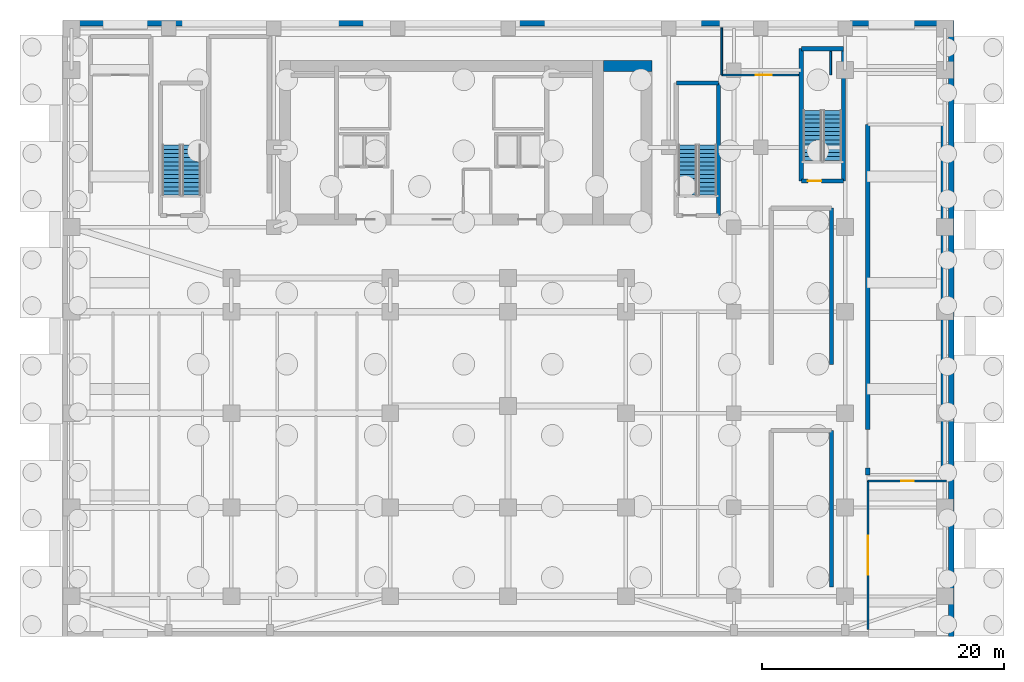
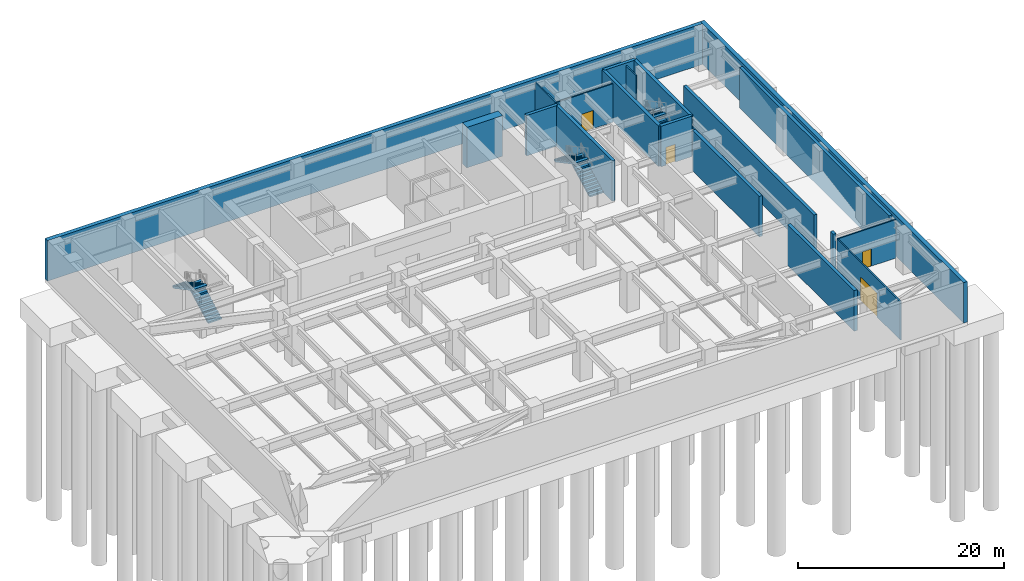
# One storey, part 6 of 9: 19 walls, 6 stair flights, 4 doors, 4 openings, 3 elements without a shape of their own.
"""IFC4 building model written with IfcOpenShell, lengths in metres."""

from ifc_helpers import new_model, si_unit, direction, frame, frame_2d, origin, place, context, subcontext, project, spatial, polyline, rectangle, outline, extrude, source, transform, mapped, material, layer, layer_set, type_object, type_shapes, element, fill, aggregate, save


model = new_model("IFC4")

# Units and contexts
model_context = context("Model", 3, precision=1e-05, world=origin(), true_north=direction((0.0, 1.0)))
body_context = subcontext(model_context, "Body", "Model", "MODEL_VIEW")
ifc_project = project(units=[si_unit("LENGTHUNIT", "METRE"), si_unit("AREAUNIT", "SQUARE_METRE"), si_unit("VOLUMEUNIT", "CUBIC_METRE"), si_unit("PLANEANGLEUNIT", "RADIAN"), si_unit("MASSUNIT", "GRAM", prefix="KILO")], contexts=[model_context])

# Site, building, storey
site_placement = place(None, origin())
site = spatial("IfcSite", under=ifc_project, at=site_placement, CompositionType="ELEMENT")
building_placement = place(site_placement, origin())
building = spatial("IfcBuilding", under=site, at=building_placement, Name="Tolvann Quenvar Hotel", CompositionType="ELEMENT")
storey_placement = place(building_placement, frame((0.0, 0.0, -14.39990234375)))
storey = spatial("IfcBuildingStorey", under=building, at=storey_placement, Name="B03", CompositionType="ELEMENT", Elevation=-14.39990234375)

# Walls
ifc_material_1 = material(Name="Concrete S80 (80 MPa)", Category="concrete")
ifc_layer_1 = layer(ifc_material_1, 0.89990234375)
ifc_layer_set_1 = layer_set([ifc_layer_1], Name="Concrete S80 (80 MPa)")
wall_type_1 = type_object("IfcWallType", Name="WALL_CORE_900", PredefinedType="SHEAR", material=ifc_layer_set_1)
wall_1_placement = place(storey_placement, frame((36.39990234375, 44.75, 0.0), z_axis=(0.0, 0.0, 1.0), x_axis=(1.0, 0.0, 0.0)))
element("IfcWall", 1, at=wall_1_placement, inside=storey, type_object=wall_type_1, Name="Core East Annex Shear Wall ANN-N (B03)", PredefinedType="SHEAR", context=body_context, shape_type="SweptSolid", body=[
    extrude(rectangle(XDim=4.0, YDim=0.89990234375, at=frame_2d((2.0, 0.0))), origin(), (0.0, 0.0, 1.0), 4.7998046875),
])
ifc_material_2 = material(Name="Concrete S65 (65 MPa)", Category="concrete")
ifc_layer_2 = layer(ifc_material_2, 0.35009765625)
ifc_layer_set_2 = layer_set([ifc_layer_2], Name="Concrete S65 (65 MPa)")
wall_type_2 = type_object("IfcWallType", Name="WALL_CORE_INT_350", PredefinedType="SHEAR", material=ifc_layer_set_2)
wall_2_placement = place(storey_placement, frame((45.925048828125, 32.375, 0.0), z_axis=(0.0, 0.0, 1.0), x_axis=(0.0, 1.0, 0.0)))
element("IfcWall", 2, at=wall_2_placement, inside=storey, type_object=wall_type_2, Name="Stairwell ST-B2 Structural Shaft Wall E (B03)", PredefinedType="SHEAR", context=body_context, shape_type="SweptSolid", body=[
    extrude(rectangle(XDim=10.949951171875, YDim=0.35009765625, at=frame_2d((5.47509765625, 0.0))), origin(), (0.0, 0.0, 1.0), 4.7998046875),
])
wall_3_placement = place(storey_placement, frame((45.925048828125, 43.324951171875, 0.0), z_axis=(0.0, 0.0, 1.0), x_axis=(-1.0, 0.0, 0.0)))
element("IfcWall", 3, at=wall_3_placement, inside=storey, type_object=wall_type_2, Name="Stairwell ST-B2 Structural Shaft Wall N (B03)", PredefinedType="SHEAR", context=body_context, shape_type="SweptSolid", body=[
    extrude(rectangle(XDim=3.5, YDim=0.35009765625, at=frame_2d((1.75, 0.0))), origin(), (0.0, 0.0, 1.0), 4.7998046875),
])

# Wall, opening, door
wall_4_placement = place(storey_placement, frame((52.77490234375, 35.22509765625, 0.0), z_axis=(0.0, 0.0, 1.0), x_axis=(1.0, 0.0, 0.0)))
wall_4 = element("IfcWall", 4, at=wall_4_placement, inside=storey, type_object=wall_type_2, Name="Stairwell ST-B3 Structural Shaft Wall S (B03)", PredefinedType="SHEAR", context=body_context, shape_type="SweptSolid", body=[
    extrude(rectangle(XDim=3.5, YDim=0.35009765625, at=frame_2d((1.75, 0.0))), origin(), (0.0, 0.0, 1.0), 4.7998046875),
])
opening_1_placement = place(wall_4_placement, frame((0.550048828125, 0.0, 0.0)))
opening_1 = element("IfcOpeningElement", 5, at=opening_1_placement, cuts=wall_4, Name="Opening FD-120", PredefinedType="OPENING", context=body_context, shape_type="SweptSolid", body=[
    extrude(rectangle(XDim=1.10009765625, YDim=2.1201171875, at=frame_2d((0.550048828125, 1.06005859375))), frame((0.0, 0.18505859375, 0.0), z_axis=(0.0, -1.0, 0.0), x_axis=(1.0, 0.0, 0.0)), (0.0, 0.0, 1.0), 0.3701171875),
])
ifc_material_3 = material(Name="Pressed galvanised steel fire-rated door set", Category="steel")
door_type_1 = type_object("IfcDoorType", Name="DOOR_FIRE_STAIR_1100", OperationType="NOTDEFINED", PredefinedType="DOOR", material=ifc_material_3)
shared_shape_1 = source(origin(), body_context, "Body", "SweptSolid", [
    extrude(rectangle(XDim=1.10009765625, YDim=2.1201171875, at=frame_2d((0.550048828125, 1.06005859375))), frame((0.0, 0.02490234375, 0.0), z_axis=(0.0, -1.0, 0.0), x_axis=(1.0, 0.0, 0.0)), (0.0, 0.0, 1.0), 0.050048828125),
])
type_shapes(door_type_1, [shared_shape_1])
door_1_placement = place(opening_1_placement, origin())
door_1 = element("IfcDoor", 6, at=door_1_placement, inside=storey, type_object=door_type_1, Name="Exit Stair ST-B3 Fire Door (B03)", OperationType="SINGLE_SWING_LEFT", OverallHeight=2.1201171875, OverallWidth=1.10009765625, PredefinedType="DOOR", context=body_context, shape_type="MappedRepresentation", body=[
    mapped(shared_shape_1, transform((0.0, 0.0, 0.0), x_axis=(1.0, 0.0, 0.0), y_axis=(0.0, 1.0, 0.0), z_axis=(0.0, 0.0, 1.0), scale=1.0)),
])
fill(opening_1, door_1)

# Walls
wall_5_placement = place(storey_placement, frame((56.27490234375, 35.22509765625, 0.0), z_axis=(0.0, 0.0, 1.0), x_axis=(0.0, 1.0, 0.0)))
element("IfcWall", 7, at=wall_5_placement, inside=storey, type_object=wall_type_2, Name="Stairwell ST-B3 Structural Shaft Wall E (B03)", PredefinedType="SHEAR", context=body_context, shape_type="SweptSolid", body=[
    extrude(rectangle(XDim=10.949951171875, YDim=0.35009765625, at=frame_2d((5.47509765625, 0.0))), origin(), (0.0, 0.0, 1.0), 4.7998046875),
])
wall_6_placement = place(storey_placement, frame((56.27490234375, 46.175048828125, 0.0), z_axis=(0.0, 0.0, 1.0), x_axis=(-1.0, 0.0, 0.0)))
element("IfcWall", 8, at=wall_6_placement, inside=storey, type_object=wall_type_2, Name="Stairwell ST-B3 Structural Shaft Wall N (B03)", PredefinedType="SHEAR", context=body_context, shape_type="SweptSolid", body=[
    extrude(rectangle(XDim=3.5, YDim=0.35009765625, at=frame_2d((1.75, 0.0))), origin(), (0.0, 0.0, 1.0), 4.7998046875),
])
wall_7_placement = place(storey_placement, frame((52.77490234375, 46.175048828125, 0.0), z_axis=(0.0, 0.0, 1.0), x_axis=(0.0, -1.0, 0.0)))
element("IfcWall", 9, at=wall_7_placement, inside=storey, type_object=wall_type_2, Name="Stairwell ST-B3 Structural Shaft Wall W (B03)", PredefinedType="SHEAR", context=body_context, shape_type="SweptSolid", body=[
    extrude(rectangle(XDim=10.949951171875, YDim=0.35009765625, at=frame_2d((5.47509765625, 0.0))), origin(), (0.0, 0.0, 1.0), 4.7998046875),
])
wall_8_placement = place(storey_placement, frame((55.27490234375, 1.625, 0.0), z_axis=(0.0, 0.0, 1.0), x_axis=(0.0, 1.0, 0.0)))
element("IfcWall", 10, at=wall_8_placement, inside=storey, type_object=wall_type_2, Name="Stairwell ST-P3 Structural Shaft Wall E (B03)", PredefinedType="SHEAR", context=body_context, shape_type="SweptSolid", body=[
    extrude(rectangle(XDim=12.949951171875, YDim=0.35009765625, at=frame_2d((6.47509765625, 0.0))), origin(), (0.0, 0.0, 1.0), 4.7998046875),
])
wall_9_placement = place(storey_placement, frame((55.27490234375, 20.02490234375, 0.0), z_axis=(0.0, 0.0, 1.0), x_axis=(0.0, 1.0, 0.0)))
element("IfcWall", 11, at=wall_9_placement, inside=storey, type_object=wall_type_2, Name="Stairwell ST-P4 Structural Shaft Wall E (B03)", PredefinedType="SHEAR", context=body_context, shape_type="SweptSolid", body=[
    extrude(rectangle(XDim=12.9501953125, YDim=0.35009765625, at=frame_2d((6.47509765625, 0.0))), origin(), (0.0, 0.0, 1.0), 4.7998046875),
])
wall_10_placement = place(storey_placement, frame((58.27490234375, 10.89990234375, 0.0), z_axis=(0.0, 0.0, 1.0), x_axis=(0.0, 1.0, 0.0)))
element("IfcWall", 12, at=wall_10_placement, inside=storey, type_object=wall_type_2, Name="Vehicle Ramp Structural Shaft Wall W1 (B03)", PredefinedType="SHEAR", context=body_context, shape_type="SweptSolid", body=[
    extrude(rectangle(XDim=0.550048828125, YDim=0.35009765625, at=frame_2d((0.27490234375, 0.0))), origin(), (0.0, 0.0, 1.0), 4.7998046875),
])
wall_11_placement = place(storey_placement, frame((58.27490234375, 14.64990234375, 0.0), z_axis=(0.0, 0.0, 1.0), x_axis=(0.0, 1.0, 0.0)))
element("IfcWall", 13, at=wall_11_placement, inside=storey, type_object=wall_type_2, Name="Vehicle Ramp Structural Shaft Wall W (B03)", PredefinedType="SHEAR", context=body_context, shape_type="SweptSolid", body=[
    extrude(rectangle(XDim=25.25, YDim=0.35009765625, at=frame_2d((12.625, 0.0))), origin(), (0.0, 0.0, 1.0), 4.7998046875),
])
wall_12_placement = place(storey_placement, frame((64.52490234375, 10.89990234375, 0.0), z_axis=(0.0, 0.0, 1.0), x_axis=(0.0, 1.0, 0.0)))
element("IfcWall", 14, at=wall_12_placement, inside=storey, type_object=wall_type_2, Name="Vehicle Ramp Structural Shaft Wall E (B03)", PredefinedType="SHEAR", context=body_context, shape_type="SweptSolid", body=[
    extrude(rectangle(XDim=29.0, YDim=0.35009765625, at=frame_2d((14.5, 0.0))), origin(), (0.0, 0.0, 1.0), 4.7998046875),
])

# Wall, opening, door
ifc_material_4 = material(Name="Acoustic twin-stud fire-rated gypsum plasterboard partition")
ifc_layer_3 = layer(ifc_material_4, 0.14990234375)
ifc_layer_set_3 = layer_set([ifc_layer_3], Name="Acoustic twin-stud fire-rated gypsum plasterboard partition")
wall_type_3 = type_object("IfcWallType", Name="WALL_PART_SUITE_150", PredefinedType="PARTITIONING", material=ifc_layer_set_3)
wall_13_placement = place(storey_placement, frame((46.179931640625, 44.0, 0.0), z_axis=(0.0, 0.0, 1.0), x_axis=(1.0, 0.0, 0.0)))
wall_13 = element("IfcWall", 15, at=wall_13_placement, inside=storey, type_object=wall_type_3, Name="Interior Partition PT-SPC-B03-PUMP-S", PredefinedType="PARTITIONING", context=body_context, shape_type="SweptSolid", body=[
    extrude(rectangle(XDim=6.364990234375, YDim=0.14990234375, at=frame_2d((3.1826171875, 0.0))), origin(), (0.0, 0.0, 1.0), 4.539794921875),
])
opening_2_placement = place(wall_13_placement, frame((2.8076171875, 0.0, 0.0)))
opening_2 = element("IfcOpeningElement", 16, at=opening_2_placement, cuts=wall_13, Name="Opening PD-01", PredefinedType="OPENING", context=body_context, shape_type="SweptSolid", body=[
    extrude(rectangle(XDim=1.35009765625, YDim=2.14990234375, at=frame_2d((0.675048828125, 1.074951171875))), frame((0.0, 0.0849609375, 0.0), z_axis=(0.0, -1.0, 0.0), x_axis=(1.0, 0.0, 0.0)), (0.0, 0.0, 1.0), 0.169921875),
])
door_type_2 = type_object("IfcDoorType", Name="DOOR_PLANT_1350", OperationType="NOTDEFINED", PredefinedType="DOOR", material=ifc_material_3)
shared_shape_2 = source(origin(), body_context, "Body", "SweptSolid", [
    extrude(rectangle(XDim=1.35009765625, YDim=2.14990234375, at=frame_2d((0.675048828125, 1.074951171875))), frame((0.0, 0.02490234375, 0.0), z_axis=(0.0, -1.0, 0.0), x_axis=(1.0, 0.0, 0.0)), (0.0, 0.0, 1.0), 0.050048828125),
])
type_shapes(door_type_2, [shared_shape_2])
door_2_placement = place(opening_2_placement, origin())
door_2 = element("IfcDoor", 17, at=door_2_placement, inside=storey, type_object=door_type_2, Name="Interior Door DOOR-SPC-B03-PUMP", OperationType="DOUBLE_DOOR_SINGLE_SWING", OverallHeight=2.14990234375, OverallWidth=1.35009765625, PredefinedType="DOOR", context=body_context, shape_type="MappedRepresentation", body=[
    mapped(shared_shape_2, transform((0.0, 0.0, 0.0), x_axis=(1.0, 0.0, 0.0), y_axis=(0.0, 1.0, 0.0), z_axis=(0.0, 0.0, 1.0), scale=1.0)),
])
fill(opening_2, door_2)

# Walls
wall_14_placement = place(storey_placement, frame((46.179931640625, 44.0, 0.0), z_axis=(0.0, 0.0, 1.0), x_axis=(0.0, 1.0, 0.0)))
element("IfcWall", 18, at=wall_14_placement, inside=storey, type_object=wall_type_3, Name="Interior Partition PT-SPC-B03-PUMP-W", PredefinedType="PARTITIONING", context=body_context, shape_type="SweptSolid", body=[
    extrude(rectangle(XDim=3.89990234375, YDim=0.14990234375, at=frame_2d((1.949951171875, 0.0))), origin(), (0.0, 0.0, 1.0), 4.539794921875),
])
wall_15_placement = place(storey_placement, frame((55.199951171875, 44.0, 0.0), z_axis=(0.0, 0.0, 1.0), x_axis=(0.0, 1.0, 0.0)))
element("IfcWall", 19, at=wall_15_placement, inside=storey, type_object=wall_type_3, Name="Interior Partition PT-SPC-B03-PUMP-E", PredefinedType="PARTITIONING", context=body_context, shape_type="SweptSolid", body=[
    extrude(rectangle(XDim=1.945068359375, YDim=0.14990234375, at=frame_2d((0.97265625, 0.0))), origin(), (0.0, 0.0, 1.0), 4.539794921875),
])

# Wall, opening, door
wall_16_placement = place(storey_placement, frame((58.300048828125, 10.39990234375, 0.0), z_axis=(0.0, 0.0, 1.0), x_axis=(1.0, 0.0, 0.0)))
wall_16 = element("IfcWall", 20, at=wall_16_placement, inside=storey, type_object=wall_type_3, Name="Interior Partition PT-SPC-B03-CYC-N", PredefinedType="PARTITIONING", context=body_context, shape_type="SweptSolid", body=[
    extrude(rectangle(XDim=6.5, YDim=0.14990234375, at=frame_2d((3.25, 0.0))), origin(), (0.0, 0.0, 1.0), 4.539794921875),
])
opening_3_placement = place(wall_16_placement, frame((2.739990234375, 0.0, 0.0)))
opening_3 = element("IfcOpeningElement", 21, at=opening_3_placement, cuts=wall_16, Name="Opening HD-01", PredefinedType="OPENING", context=body_context, shape_type="SweptSolid", body=[
    extrude(rectangle(XDim=1.02001953125, YDim=2.030029296875, at=frame_2d((0.510009765625, 1.01513671875))), frame((0.0, 0.0849609375, 0.0), z_axis=(0.0, -1.0, 0.0), x_axis=(1.0, 0.0, 0.0)), (0.0, 0.0, 1.0), 0.169921875),
])
door_type_3 = type_object("IfcDoorType", Name="DOOR_BOH_1020", OperationType="NOTDEFINED", PredefinedType="DOOR", material=ifc_material_3)
shared_shape_3 = source(origin(), body_context, "Body", "SweptSolid", [
    extrude(rectangle(XDim=1.02001953125, YDim=2.030029296875, at=frame_2d((0.510009765625, 1.01513671875))), frame((0.0, 0.02490234375, 0.0), z_axis=(0.0, -1.0, 0.0), x_axis=(1.0, 0.0, 0.0)), (0.0, 0.0, 1.0), 0.050048828125),
])
type_shapes(door_type_3, [shared_shape_3])
door_3_placement = place(opening_3_placement, origin())
door_3 = element("IfcDoor", 22, at=door_3_placement, inside=storey, type_object=door_type_3, Name="Interior Door DOOR-SPC-B03-CYC", OperationType="SINGLE_SWING_RIGHT", OverallHeight=2.030029296875, OverallWidth=1.02001953125, PredefinedType="DOOR", context=body_context, shape_type="MappedRepresentation", body=[
    mapped(shared_shape_3, transform((0.0, 0.0, 0.0), x_axis=(1.0, 0.0, 0.0), y_axis=(0.0, 1.0, 0.0), z_axis=(0.0, 0.0, 1.0), scale=1.0)),
])
fill(opening_3, door_3)

wall_17_placement = place(storey_placement, frame((58.300048828125, -1.89990234375, 0.0), z_axis=(0.0, 0.0, 1.0), x_axis=(0.0, 1.0, 0.0)))
wall_17 = element("IfcWall", 23, at=wall_17_placement, inside=storey, type_object=wall_type_3, Name="Interior Partition PT-SPC-B03-CYC-W", PredefinedType="PARTITIONING", context=body_context, shape_type="SweptSolid", body=[
    extrude(rectangle(XDim=12.2998046875, YDim=0.14990234375, at=frame_2d((6.14990234375, 0.0))), origin(), (0.0, 0.0, 1.0), 4.539794921875),
])
opening_4_placement = place(wall_17_placement, frame((4.550048828125, 0.0, 0.0)))
opening_4 = element("IfcOpeningElement", 24, at=opening_4_placement, cuts=wall_17, Name="Opening DG-01", PredefinedType="OPENING", context=body_context, shape_type="SweptSolid", body=[
    extrude(rectangle(XDim=3.199951171875, YDim=2.800048828125, at=frame_2d((1.60009765625, 1.39990234375))), frame((0.0, 0.0849609375, 0.0), z_axis=(0.0, -1.0, 0.0), x_axis=(1.0, 0.0, 0.0)), (0.0, 0.0, 1.0), 0.169921875),
])
ifc_material_5 = material(Name="Heavy-duty powder-coated galvanised steel security shutter gate", Category="steel")
door_type_4 = type_object("IfcDoorType", Name="GATE_SRV_3200x2800", OperationType="NOTDEFINED", PredefinedType="GATE", material=ifc_material_5)
shared_shape_4 = source(origin(), body_context, "Body", "SweptSolid", [
    extrude(rectangle(XDim=3.199951171875, YDim=2.800048828125, at=frame_2d((1.60009765625, 1.39990234375))), frame((0.0, 0.02490234375, 0.0), z_axis=(0.0, -1.0, 0.0), x_axis=(1.0, 0.0, 0.0)), (0.0, 0.0, 1.0), 0.050048828125),
])
type_shapes(door_type_4, [shared_shape_4])
door_4_placement = place(opening_4_placement, origin())
door_4 = element("IfcDoor", 25, at=door_4_placement, inside=storey, type_object=door_type_4, Name="Service Control Gate DG-01 (01)", OperationType="ROLLINGUP", OverallHeight=2.800048828125, OverallWidth=3.199951171875, PredefinedType="GATE", context=body_context, shape_type="MappedRepresentation", body=[
    mapped(shared_shape_4, transform((0.0, 0.0, 0.0), x_axis=(1.0, 0.0, 0.0), y_axis=(0.0, 1.0, 0.0), z_axis=(0.0, 0.0, 1.0), scale=1.0)),
])
fill(opening_4, door_4)

# Walls
ifc_material_6 = material(Name="Concrete N50 (50 MPa)", Category="concrete")
ifc_layer_4 = layer(ifc_material_6, 0.449951171875)
ifc_layer_set_4 = layer_set([ifc_layer_4], Name="Concrete N50 (50 MPa)")
wall_type_4 = type_object("IfcWallType", Name="WALL_RET_450", PredefinedType="SOLIDWALL", material=ifc_layer_set_4)
wall_18_placement = place(storey_placement, frame((-8.39990234375, 48.27490234375, 0.0), z_axis=(0.0, 0.0, 1.0), x_axis=(1.0, 0.0, 0.0)))
element("IfcWall", 26, at=wall_18_placement, inside=storey, type_object=wall_type_4, Name="Basement Perimeter Retaining Wall N (B03)", PredefinedType="SOLIDWALL", context=body_context, shape_type="SweptSolid", body=[
    extrude(rectangle(XDim=73.7998046875, YDim=0.449951171875, at=frame_2d((36.89990234375, 0.0))), origin(), (0.0, 0.0, 1.0), 4.7998046875),
])
wall_19_placement = place(storey_placement, frame((65.175048828125, -2.5, 0.0), z_axis=(0.0, 0.0, 1.0), x_axis=(0.0, 1.0, 0.0)))
element("IfcWall", 27, at=wall_19_placement, inside=storey, type_object=wall_type_4, Name="Basement Perimeter Retaining Wall E (B03)", PredefinedType="SOLIDWALL", context=body_context, shape_type="SweptSolid", body=[
    extrude(rectangle(XDim=51.0, YDim=0.449951171875, at=frame_2d((25.5, 0.0))), origin(), (0.0, 0.0, 1.0), 4.7998046875),
])

# Stair, stair flights
ifc_material_7 = material(Name="Concrete N40 (40 MPa)", Category="concrete")
stair_type = type_object("IfcStairType", Name="STAIR", PredefinedType="HALF_TURN_STAIR", material=ifc_material_7)
stair_1_placement = place(storey_placement, origin())
stair_1 = element("IfcStair", 28, at=stair_1_placement, inside=storey, type_object=stair_type, Name="B03 ST-B1", PredefinedType="HALF_TURN_STAIR")
stair_flight_type = type_object("IfcStairFlightType", Name="STAIR_FLIGHT", PredefinedType="STRAIGHT", material=ifc_material_7)
stair_flight_1_placement = place(storey_placement, frame((2.300048828125, 34.050048828125, 0.0), z_axis=(0.0, 0.0, 1.0), x_axis=(0.0, 1.0, 0.0)))
stair_flight_1 = element("IfcStairFlight", 29, at=stair_flight_1_placement, type_object=stair_flight_type, Name="ST-B1 flight 1", NumberOfRisers=13, NumberOfTreads=12, PredefinedType="STRAIGHT", RiserHeight=0.184615385, TreadLength=0.345, context=body_context, shape_type="SweptSolid", body=[
    extrude(outline(polyline([(0.0, 0.0), (0.0, 0.1845703125), (0.344970703125, 0.1845703125), (0.344970703125, 0.369140625), (0.68994140625, 0.369140625), (0.68994140625, 0.553955078125), (1.034912109375, 0.553955078125), (1.034912109375, 0.738525390625), (1.3798828125, 0.738525390625), (1.3798828125, 0.923095703125), (1.72509765625, 0.923095703125), (1.72509765625, 1.107666015625), (2.070068359375, 1.107666015625), (2.070068359375, 1.292236328125), (2.4150390625, 1.292236328125), (2.4150390625, 1.476806640625), (2.760009765625, 1.476806640625), (2.760009765625, 1.66162109375), (3.10498046875, 1.66162109375), (3.10498046875, 1.84619140625), (3.449951171875, 1.84619140625), (3.449951171875, 2.03076171875), (3.794921875, 2.03076171875), (3.794921875, 2.21533203125), (4.139892578125, 2.21533203125), (4.139892578125, 2.39990234375), (4.139892578125, 2.04541015625), (0.317626953125, 0.0), (0.0, 0.0)])), frame((0.0, 0.75, 0.0), z_axis=(0.0, -1.0, 0.0), x_axis=(1.0, 0.0, 0.0)), (0.0, 0.0, 1.0), 1.5),
])
stair_flight_2_placement = place(storey_placement, frame((0.64990234375, 38.18994140625, 2.39990234375), z_axis=(0.0, 0.0, 1.0), x_axis=(0.0, -1.0, 0.0)))
stair_flight_2 = element("IfcStairFlight", 30, at=stair_flight_2_placement, type_object=stair_flight_type, Name="ST-B1 flight 2", NumberOfRisers=13, NumberOfTreads=12, PredefinedType="STRAIGHT", RiserHeight=0.184615385, TreadLength=0.345, context=body_context, shape_type="SweptSolid", body=[
    extrude(outline(polyline([(0.0, 0.0), (0.0, 0.1845703125), (0.344970703125, 0.1845703125), (0.344970703125, 0.369140625), (0.68994140625, 0.369140625), (0.68994140625, 0.553955078125), (1.034912109375, 0.553955078125), (1.034912109375, 0.738525390625), (1.3798828125, 0.738525390625), (1.3798828125, 0.923095703125), (1.72509765625, 0.923095703125), (1.72509765625, 1.107666015625), (2.070068359375, 1.107666015625), (2.070068359375, 1.292236328125), (2.4150390625, 1.292236328125), (2.4150390625, 1.476806640625), (2.760009765625, 1.476806640625), (2.760009765625, 1.66162109375), (3.10498046875, 1.66162109375), (3.10498046875, 1.84619140625), (3.449951171875, 1.84619140625), (3.449951171875, 2.03076171875), (3.794921875, 2.03076171875), (3.794921875, 2.21533203125), (4.139892578125, 2.21533203125), (4.139892578125, 2.39990234375), (4.139892578125, 2.04541015625), (0.317626953125, 0.0), (0.0, 0.0)])), frame((0.0, 0.75, 0.0), z_axis=(0.0, -1.0, 0.0), x_axis=(1.0, 0.0, 0.0)), (0.0, 0.0, 1.0), 1.5),
])
aggregate(stair_1, [stair_flight_1, stair_flight_2])

stair_2_placement = place(storey_placement, origin())
stair_2 = element("IfcStair", 31, at=stair_2_placement, inside=storey, type_object=stair_type, Name="B03 ST-B2", PredefinedType="HALF_TURN_STAIR")
stair_flight_3_placement = place(storey_placement, frame((45.0, 34.050048828125, 0.0), z_axis=(0.0, 0.0, 1.0), x_axis=(0.0, 1.0, 0.0)))
stair_flight_3 = element("IfcStairFlight", 32, at=stair_flight_3_placement, type_object=stair_flight_type, Name="ST-B2 flight 1", NumberOfRisers=13, NumberOfTreads=12, PredefinedType="STRAIGHT", RiserHeight=0.184615385, TreadLength=0.345, context=body_context, shape_type="SweptSolid", body=[
    extrude(outline(polyline([(0.0, 0.0), (0.0, 0.1845703125), (0.344970703125, 0.1845703125), (0.344970703125, 0.369140625), (0.68994140625, 0.369140625), (0.68994140625, 0.553955078125), (1.034912109375, 0.553955078125), (1.034912109375, 0.738525390625), (1.3798828125, 0.738525390625), (1.3798828125, 0.923095703125), (1.72509765625, 0.923095703125), (1.72509765625, 1.107666015625), (2.070068359375, 1.107666015625), (2.070068359375, 1.292236328125), (2.4150390625, 1.292236328125), (2.4150390625, 1.476806640625), (2.760009765625, 1.476806640625), (2.760009765625, 1.66162109375), (3.10498046875, 1.66162109375), (3.10498046875, 1.84619140625), (3.449951171875, 1.84619140625), (3.449951171875, 2.03076171875), (3.794921875, 2.03076171875), (3.794921875, 2.21533203125), (4.139892578125, 2.21533203125), (4.139892578125, 2.39990234375), (4.139892578125, 2.04541015625), (0.317626953125, 0.0), (0.0, 0.0)])), frame((0.0, 0.75, 0.0), z_axis=(0.0, -1.0, 0.0), x_axis=(1.0, 0.0, 0.0)), (0.0, 0.0, 1.0), 1.5),
])
stair_flight_4_placement = place(storey_placement, frame((43.35009765625, 38.18994140625, 2.39990234375), z_axis=(0.0, 0.0, 1.0), x_axis=(0.0, -1.0, 0.0)))
stair_flight_4 = element("IfcStairFlight", 33, at=stair_flight_4_placement, type_object=stair_flight_type, Name="ST-B2 flight 2", NumberOfRisers=13, NumberOfTreads=12, PredefinedType="STRAIGHT", RiserHeight=0.184615385, TreadLength=0.345, context=body_context, shape_type="SweptSolid", body=[
    extrude(outline(polyline([(0.0, 0.0), (0.0, 0.1845703125), (0.344970703125, 0.1845703125), (0.344970703125, 0.369140625), (0.68994140625, 0.369140625), (0.68994140625, 0.553955078125), (1.034912109375, 0.553955078125), (1.034912109375, 0.738525390625), (1.3798828125, 0.738525390625), (1.3798828125, 0.923095703125), (1.72509765625, 0.923095703125), (1.72509765625, 1.107666015625), (2.070068359375, 1.107666015625), (2.070068359375, 1.292236328125), (2.4150390625, 1.292236328125), (2.4150390625, 1.476806640625), (2.760009765625, 1.476806640625), (2.760009765625, 1.66162109375), (3.10498046875, 1.66162109375), (3.10498046875, 1.84619140625), (3.449951171875, 1.84619140625), (3.449951171875, 2.03076171875), (3.794921875, 2.03076171875), (3.794921875, 2.21533203125), (4.139892578125, 2.21533203125), (4.139892578125, 2.39990234375), (4.139892578125, 2.04541015625), (0.317626953125, 0.0), (0.0, 0.0)])), frame((0.0, 0.75, 0.0), z_axis=(0.0, -1.0, 0.0), x_axis=(1.0, 0.0, 0.0)), (0.0, 0.0, 1.0), 1.5),
])
aggregate(stair_2, [stair_flight_3, stair_flight_4])

stair_3_placement = place(storey_placement, origin())
stair_3 = element("IfcStair", 34, at=stair_3_placement, inside=storey, type_object=stair_type, Name="B03 ST-B3", PredefinedType="HALF_TURN_STAIR")
stair_flight_5_placement = place(storey_placement, frame((55.35009765625, 36.89990234375, 0.0), z_axis=(0.0, 0.0, 1.0), x_axis=(0.0, 1.0, 0.0)))
stair_flight_5 = element("IfcStairFlight", 35, at=stair_flight_5_placement, type_object=stair_flight_type, Name="ST-B3 flight 1", NumberOfRisers=13, NumberOfTreads=12, PredefinedType="STRAIGHT", RiserHeight=0.184615385, TreadLength=0.345, context=body_context, shape_type="SweptSolid", body=[
    extrude(outline(polyline([(0.0, 0.0), (0.0, 0.1845703125), (0.344970703125, 0.1845703125), (0.344970703125, 0.369140625), (0.68994140625, 0.369140625), (0.68994140625, 0.553955078125), (1.034912109375, 0.553955078125), (1.034912109375, 0.738525390625), (1.3798828125, 0.738525390625), (1.3798828125, 0.923095703125), (1.72509765625, 0.923095703125), (1.72509765625, 1.107666015625), (2.070068359375, 1.107666015625), (2.070068359375, 1.292236328125), (2.4150390625, 1.292236328125), (2.4150390625, 1.476806640625), (2.760009765625, 1.476806640625), (2.760009765625, 1.66162109375), (3.10498046875, 1.66162109375), (3.10498046875, 1.84619140625), (3.449951171875, 1.84619140625), (3.449951171875, 2.03076171875), (3.794921875, 2.03076171875), (3.794921875, 2.21533203125), (4.139892578125, 2.21533203125), (4.139892578125, 2.39990234375), (4.139892578125, 2.04541015625), (0.317626953125, 0.0), (0.0, 0.0)])), frame((0.0, 0.75, 0.0), z_axis=(0.0, -1.0, 0.0), x_axis=(1.0, 0.0, 0.0)), (0.0, 0.0, 1.0), 1.5),
])
stair_flight_6_placement = place(storey_placement, frame((53.699951171875, 41.0400390625, 2.39990234375), z_axis=(0.0, 0.0, 1.0), x_axis=(0.0, -1.0, 0.0)))
stair_flight_6 = element("IfcStairFlight", 36, at=stair_flight_6_placement, type_object=stair_flight_type, Name="ST-B3 flight 2", NumberOfRisers=13, NumberOfTreads=12, PredefinedType="STRAIGHT", RiserHeight=0.184615385, TreadLength=0.345, context=body_context, shape_type="SweptSolid", body=[
    extrude(outline(polyline([(0.0, 0.0), (0.0, 0.1845703125), (0.344970703125, 0.1845703125), (0.344970703125, 0.369140625), (0.68994140625, 0.369140625), (0.68994140625, 0.553955078125), (1.034912109375, 0.553955078125), (1.034912109375, 0.738525390625), (1.3798828125, 0.738525390625), (1.3798828125, 0.923095703125), (1.72509765625, 0.923095703125), (1.72509765625, 1.107666015625), (2.070068359375, 1.107666015625), (2.070068359375, 1.292236328125), (2.4150390625, 1.292236328125), (2.4150390625, 1.476806640625), (2.760009765625, 1.476806640625), (2.760009765625, 1.66162109375), (3.10498046875, 1.66162109375), (3.10498046875, 1.84619140625), (3.449951171875, 1.84619140625), (3.449951171875, 2.03076171875), (3.794921875, 2.03076171875), (3.794921875, 2.21533203125), (4.139892578125, 2.21533203125), (4.139892578125, 2.39990234375), (4.139892578125, 2.04541015625), (0.317626953125, 0.0), (0.0, 0.0)])), frame((0.0, 0.75, 0.0), z_axis=(0.0, -1.0, 0.0), x_axis=(1.0, 0.0, 0.0)), (0.0, 0.0, 1.0), 1.5),
])
aggregate(stair_3, [stair_flight_5, stair_flight_6])

save(model, "model.ifc")
